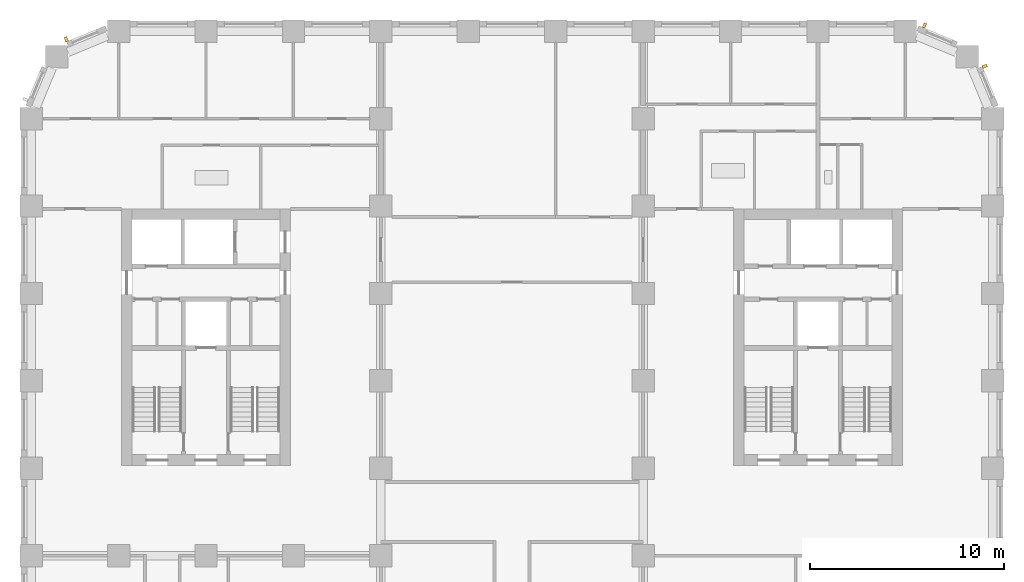
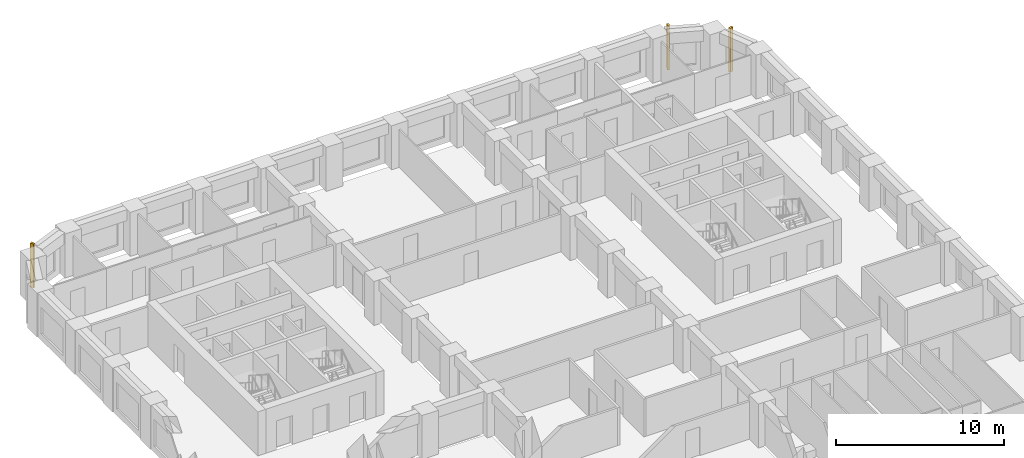
# One storey, part 11 of 12: 3 shading devices.
"""IFC4 building model written with IfcOpenShell, lengths in metres."""

from ifc_helpers import new_model, si_unit, direction, frame, origin, origin_2d, place, context, subcontext, project, spatial, rectangle, extrude, material, type_object, element, save


model = new_model("IFC4")

# Units and contexts
model_context = context("Model", 3, precision=1e-05, world=origin(), true_north=direction((0.0, 1.0)))
body_context = subcontext(model_context, "Body", "Model", "MODEL_VIEW")
ifc_project = project(units=[si_unit("LENGTHUNIT", "METRE"), si_unit("AREAUNIT", "SQUARE_METRE"), si_unit("VOLUMEUNIT", "CUBIC_METRE"), si_unit("PLANEANGLEUNIT", "RADIAN"), si_unit("MASSUNIT", "GRAM", prefix="KILO")], contexts=[model_context])

# Site, building, storey
site_placement = place(None, origin())
site = spatial("IfcSite", under=ifc_project, at=site_placement, CompositionType="ELEMENT")
building_placement = place(site_placement, origin())
building = spatial("IfcBuilding", under=site, at=building_placement, Name="Girih Gate Residences", CompositionType="ELEMENT")
storey_placement = place(building_placement, frame((0.0, 0.0, 108.800048828125)))
storey = spatial("IfcBuildingStorey", under=building, at=storey_placement, Name="L30", CompositionType="ELEMENT", Elevation=108.800048828125)

# Shading devices
ifc_material = material(Name="Precast concrete C50/60", Category="concrete")
shading_device_type = type_object("IfcShadingDeviceType", Name="Corner rib 150x250", PredefinedType="USERDEFINED", material=ifc_material)
for number, where, z_axis, x_axis, name in (
    (1, (49.087646484375, 47.6943359375, 0.0), (0.0, 0.0, 1.0), (-0.382683432365, 0.923879532511, 0.0), "Corner rib NE0495_0450.0"),
    (2, (45.985107421875, 49.79541015625, 0.0), (0.0, 0.0, 1.0), (-0.923879532511, 0.382683432365, 0.0), "Corner rib NE0482_0482.0"),
    (3, (1.8056640625, 49.087646484375, 0.0), (0.0, 0.0, 1.0), (-0.923879532511, -0.382683432365, 0.0), "Corner rib NW0045_0495.0"),
):
    element("IfcShadingDevice", number, at=place(storey_placement, frame(where, z_axis=z_axis, x_axis=x_axis)), inside=storey, type_object=shading_device_type, Name=name, ObjectType="FIN", PredefinedType="USERDEFINED", context=body_context, shape_type="SweptSolid", body=[
        extrude(rectangle(XDim=0.14990234375, YDim=0.25, at=origin_2d()), origin(), (0.0, 0.0, 1.0), 3.199951171875),
    ])

save(model, "model.ifc")
